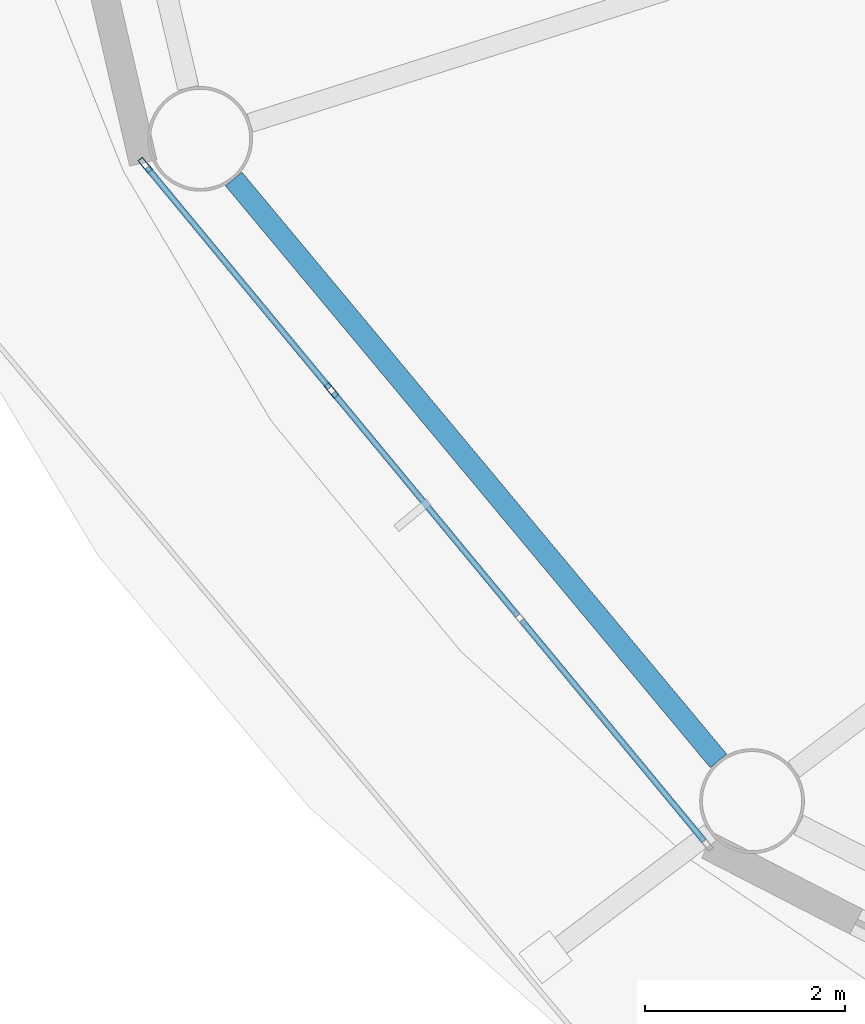
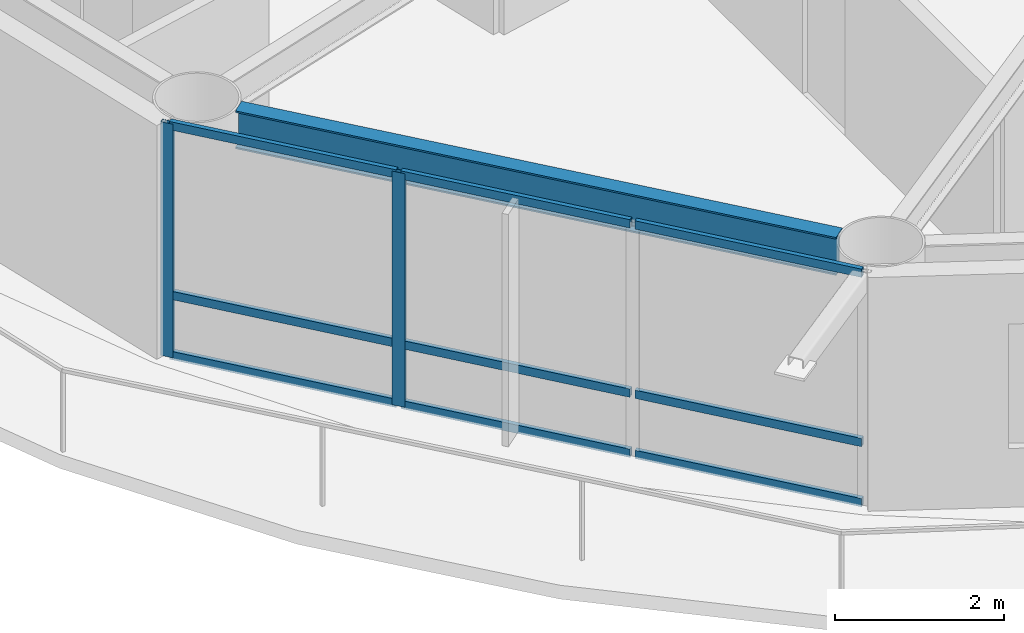
# One storey, part 3 of 28: 11 members, 1 beam, 1 element without a shape of its own.
"""IFC4 building model written with IfcOpenShell, lengths in metres."""

from ifc_helpers import new_model, si_unit, direction, frame, origin, origin_2d, place, context, subcontext, project, spatial, hollow_rectangle, i_section, extrude, material, layer, layer_set, material_profile, profile_set, type_object, element, aggregate, save


model = new_model("IFC4")

# Units and contexts
model_context = context("Model", 3, precision=1e-05, world=origin(), true_north=direction((0.0, 1.0)))
body_context = subcontext(model_context, "Body", "Model", "MODEL_VIEW")
ifc_project = project(units=[si_unit("LENGTHUNIT", "METRE"), si_unit("AREAUNIT", "SQUARE_METRE"), si_unit("VOLUMEUNIT", "CUBIC_METRE"), si_unit("PLANEANGLEUNIT", "RADIAN"), si_unit("MASSUNIT", "GRAM", prefix="KILO")], contexts=[model_context])

# Site, building, storey
site_placement = place(None, origin())
site = spatial("IfcSite", under=ifc_project, at=site_placement, CompositionType="ELEMENT")
building_placement = place(site_placement, origin())
building = spatial("IfcBuilding", under=site, at=building_placement, Name="Sarneth Arch Tower", CompositionType="ELEMENT")
storey_placement = place(building_placement, frame((0.0, 0.0, 154.199951171875)))
storey = spatial("IfcBuildingStorey", under=building, at=storey_placement, Name="L38", CompositionType="ELEMENT", Elevation=154.199951171875)

# Beam
ifc_material_1 = material(Name="Steel S355", Category="steel")
ifc_material_profile_1 = material_profile(ifc_material_1, i_section(OverallWidth=0.214111328125, OverallDepth=0.549072265625, WebThickness=0.0146484375, FlangeThickness=0.023681640625, FilletRadius=0.01806640625, at=origin_2d()), Name="W530x138")
ifc_profile_set_1 = profile_set([ifc_material_profile_1], Name="Steel S355")
beam_type = type_object("IfcBeamType", Name="BM-RAD-530A", PredefinedType="BEAM", material=ifc_profile_set_1)
beam_placement = place(storey_placement, frame((23.673828125, 33.770751953125, 3.10546875), z_axis=(0.640171737024, -0.768231831621, 0.0), x_axis=(0.768231831621, 0.640171737024, 0.0)))
element("IfcBeam", 1, at=beam_placement, inside=storey, type_object=beam_type, Name="L38 Perimeter spandrel beam 10", PredefinedType="BEAM", context=body_context, shape_type="SweptSolid", body=[
    extrude(i_section(OverallWidth=0.214111328125, OverallDepth=0.549072265625, WebThickness=0.0146484375, FlangeThickness=0.023681640625, FilletRadius=0.01806640625, at=origin_2d()), origin(), (0.0, 0.0, 1.0), 7.585693359375),
])

# Curtain wall, members
ifc_material_2 = material(Name="Anodised aluminium Type AA25 and solar-control low-e laminated IGU", Category="aluminium")
ifc_layer = layer(ifc_material_2, 0.169921875)
ifc_layer_set = layer_set([ifc_layer], Name="Anodised aluminium Type AA25 and solar-control low-e laminated IGU")
curtain_wall_type = type_object("IfcCurtainWallType", Name="CW-RES-MID", PredefinedType="NOTDEFINED", material=ifc_layer_set)
curtain_wall_placement = place(storey_placement, origin())
curtain_wall = element("IfcCurtainWall", 2, at=curtain_wall_placement, inside=storey, type_object=curtain_wall_type, Name="L38 Unitised curtain wall facet 10", PredefinedType="NOTDEFINED")
ifc_material_3 = material(Name="Anodised Aluminium 6063-T6", Category="aluminium")
ifc_material_profile_2 = material_profile(ifc_material_3, hollow_rectangle(XDim=0.06005859375, YDim=0.159912109375, WallThickness=0.00390625, at=origin_2d()), Name="AL-MULL-160x60x4")
ifc_profile_set_2 = profile_set([ifc_material_profile_2], Name="Anodised Aluminium 6063-T6")
member_type_1 = type_object("IfcMemberType", Name="CW-MULLION", PredefinedType="MULLION", material=ifc_profile_set_2)
member_1_placement = place(storey_placement, frame((22.786865234375, 33.909912109375, 0.0), z_axis=(0.0, 0.0, 1.0), x_axis=(0.770590741276, 0.637330298558, 0.0)))
member_1 = element("IfcMember", 3, at=member_1_placement, type_object=member_type_1, Name="CW-SYS-5 mullion 1", PredefinedType="MULLION", context=body_context, shape_type="SweptSolid", body=[
    extrude(hollow_rectangle(XDim=0.06005859375, YDim=0.159912109375, WallThickness=0.00390625, at=origin_2d()), origin(), (0.0, 0.0, 1.0), 3.380126953125),
])
member_2_placement = place(storey_placement, frame((24.653076171875, 31.6533203125, 0.0), z_axis=(0.0, 0.0, 1.0), x_axis=(0.770590741276, 0.637330298558, 0.0)))
member_2 = element("IfcMember", 4, at=member_2_placement, type_object=member_type_1, Name="CW-SYS-5 mullion 2", PredefinedType="MULLION", context=body_context, shape_type="SweptSolid", body=[
    extrude(hollow_rectangle(XDim=0.06005859375, YDim=0.159912109375, WallThickness=0.00390625, at=origin_2d()), origin(), (0.0, 0.0, 1.0), 3.380126953125),
])
ifc_material_4 = material(Name="Anodised Aluminium 6063-T6", Category="aluminium")
ifc_material_profile_3 = material_profile(ifc_material_4, hollow_rectangle(XDim=0.06005859375, YDim=0.1201171875, WallThickness=0.00390625, at=origin_2d()), Name="AL-TRAN-120x60x4")
ifc_profile_set_3 = profile_set([ifc_material_profile_3], Name="Anodised Aluminium 6063-T6")
member_type_2 = type_object("IfcMemberType", Name="CW-TRANSOM", PredefinedType="USERDEFINED", material=ifc_profile_set_3)
member_3_placement = place(storey_placement, frame((22.805908203125, 33.88671875, 0.030029296875), z_axis=(0.637358651504, -0.770567290607, 0.0), x_axis=(0.770567290607, 0.637358651504, 0.0)))
member_3 = element("IfcMember", 5, at=member_3_placement, type_object=member_type_2, Name="CW-SYS-5 transom 1.1", ObjectType="TRANSOM", PredefinedType="USERDEFINED", context=body_context, shape_type="SweptSolid", body=[
    extrude(hollow_rectangle(XDim=0.06005859375, YDim=0.1201171875, WallThickness=0.00390625, at=origin_2d()), origin(), (0.0, 0.0, 1.0), 2.8681640625),
])
member_4_placement = place(storey_placement, frame((22.805908203125, 33.88671875, 0.900146484375), z_axis=(0.637358651504, -0.770567290607, 0.0), x_axis=(0.770567290607, 0.637358651504, 0.0)))
member_4 = element("IfcMember", 6, at=member_4_placement, type_object=member_type_2, Name="CW-SYS-5 transom 1.2", ObjectType="TRANSOM", PredefinedType="USERDEFINED", context=body_context, shape_type="SweptSolid", body=[
    extrude(hollow_rectangle(XDim=0.06005859375, YDim=0.1201171875, WallThickness=0.00390625, at=origin_2d()), origin(), (0.0, 0.0, 1.0), 2.8681640625),
])
member_5_placement = place(storey_placement, frame((22.805908203125, 33.88671875, 3.35009765625), z_axis=(0.637358651504, -0.770567290607, 0.0), x_axis=(0.770567290607, 0.637358651504, 0.0)))
member_5 = element("IfcMember", 7, at=member_5_placement, type_object=member_type_2, Name="CW-SYS-5 transom 1.3", ObjectType="TRANSOM", PredefinedType="USERDEFINED", context=body_context, shape_type="SweptSolid", body=[
    extrude(hollow_rectangle(XDim=0.06005859375, YDim=0.1201171875, WallThickness=0.00390625, at=origin_2d()), origin(), (0.0, 0.0, 1.0), 2.8681640625),
])
member_6_placement = place(storey_placement, frame((24.672119140625, 31.63037109375, 0.030029296875), z_axis=(0.637329777791, -0.770591171985, 0.0), x_axis=(0.770591171985, 0.637329777791, 0.0)))
member_6 = element("IfcMember", 8, at=member_6_placement, type_object=member_type_2, Name="CW-SYS-5 transom 2.1", ObjectType="TRANSOM", PredefinedType="USERDEFINED", context=body_context, shape_type="SweptSolid", body=[
    extrude(hollow_rectangle(XDim=0.06005859375, YDim=0.1201171875, WallThickness=0.00390625, at=origin_2d()), origin(), (0.0, 0.0, 1.0), 2.898193359375),
])
member_7_placement = place(storey_placement, frame((24.672119140625, 31.63037109375, 0.900146484375), z_axis=(0.637329777791, -0.770591171985, 0.0), x_axis=(0.770591171985, 0.637329777791, 0.0)))
member_7 = element("IfcMember", 9, at=member_7_placement, type_object=member_type_2, Name="CW-SYS-5 transom 2.2", ObjectType="TRANSOM", PredefinedType="USERDEFINED", context=body_context, shape_type="SweptSolid", body=[
    extrude(hollow_rectangle(XDim=0.06005859375, YDim=0.1201171875, WallThickness=0.00390625, at=origin_2d()), origin(), (0.0, 0.0, 1.0), 2.898193359375),
])
member_8_placement = place(storey_placement, frame((24.672119140625, 31.63037109375, 3.35009765625), z_axis=(0.637329777791, -0.770591171985, 0.0), x_axis=(0.770591171985, 0.637329777791, 0.0)))
member_8 = element("IfcMember", 10, at=member_8_placement, type_object=member_type_2, Name="CW-SYS-5 transom 2.3", ObjectType="TRANSOM", PredefinedType="USERDEFINED", context=body_context, shape_type="SweptSolid", body=[
    extrude(hollow_rectangle(XDim=0.06005859375, YDim=0.1201171875, WallThickness=0.00390625, at=origin_2d()), origin(), (0.0, 0.0, 1.0), 2.898193359375),
])
member_9_placement = place(storey_placement, frame((26.5576171875, 29.3505859375, 0.030029296875), z_axis=(0.637358651504, -0.770567290607, 0.0), x_axis=(0.770567290607, 0.637358651504, 0.0)))
member_9 = element("IfcMember", 11, at=member_9_placement, type_object=member_type_2, Name="CW-SYS-5 transom 3.1", ObjectType="TRANSOM", PredefinedType="USERDEFINED", context=body_context, shape_type="SweptSolid", body=[
    extrude(hollow_rectangle(XDim=0.06005859375, YDim=0.1201171875, WallThickness=0.00390625, at=origin_2d()), origin(), (0.0, 0.0, 1.0), 2.8681640625),
])
member_10_placement = place(storey_placement, frame((26.5576171875, 29.3505859375, 0.900146484375), z_axis=(0.637358651504, -0.770567290607, 0.0), x_axis=(0.770567290607, 0.637358651504, 0.0)))
member_10 = element("IfcMember", 12, at=member_10_placement, type_object=member_type_2, Name="CW-SYS-5 transom 3.2", ObjectType="TRANSOM", PredefinedType="USERDEFINED", context=body_context, shape_type="SweptSolid", body=[
    extrude(hollow_rectangle(XDim=0.06005859375, YDim=0.1201171875, WallThickness=0.00390625, at=origin_2d()), origin(), (0.0, 0.0, 1.0), 2.8681640625),
])
member_11_placement = place(storey_placement, frame((26.5576171875, 29.3505859375, 3.35009765625), z_axis=(0.637358651504, -0.770567290607, 0.0), x_axis=(0.770567290607, 0.637358651504, 0.0)))
member_11 = element("IfcMember", 13, at=member_11_placement, type_object=member_type_2, Name="CW-SYS-5 transom 3.3", ObjectType="TRANSOM", PredefinedType="USERDEFINED", context=body_context, shape_type="SweptSolid", body=[
    extrude(hollow_rectangle(XDim=0.06005859375, YDim=0.1201171875, WallThickness=0.00390625, at=origin_2d()), origin(), (0.0, 0.0, 1.0), 2.8681640625),
])
aggregate(curtain_wall, [member_1, member_2, member_3, member_4, member_5, member_6, member_7, member_8, member_9, member_10, member_11])

save(model, "model.ifc")
